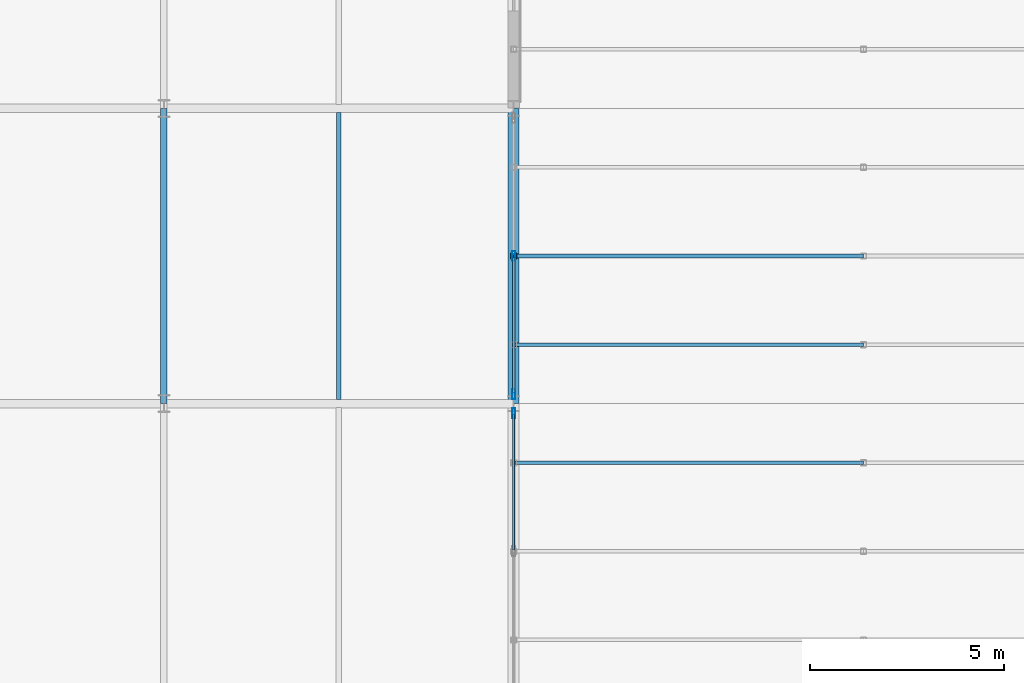
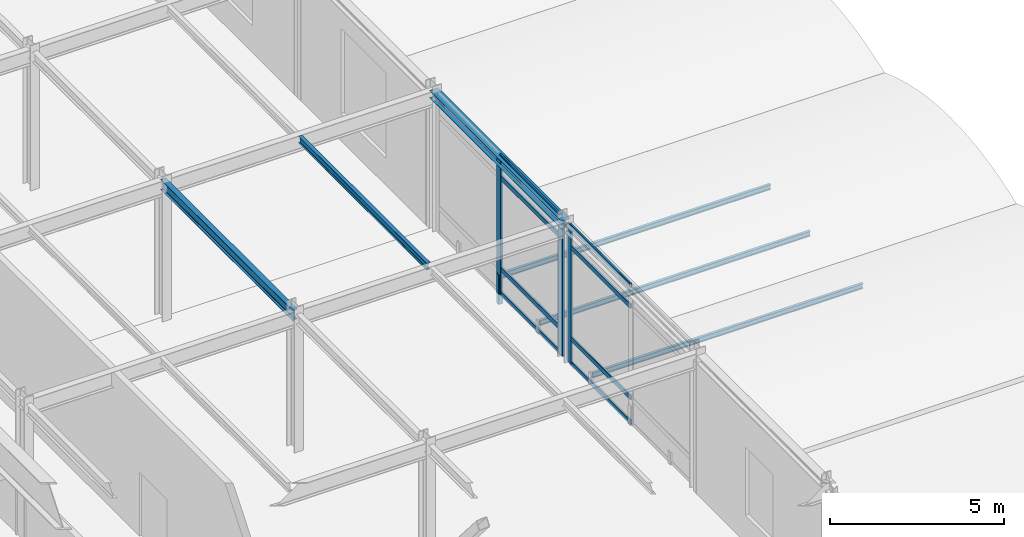
# One storey, part 62 of 113: 15 members, 3 beams, 2 elements without a shape of their own.
"""IFC4 building model written with IfcOpenShell, lengths in metres."""

from ifc_helpers import new_model, si_unit, direction, frame, origin, origin_2d, place, context, subcontext, project, spatial, hollow_rectangle, i_section, extrude, material, layer, layer_set, material_profile, profile_set, type_object, element, aggregate, save


model = new_model("IFC4")

# Units and contexts
model_context = context("Model", 3, precision=1e-05, world=origin(), true_north=direction((0.0, 1.0)))
body_context = subcontext(model_context, "Body", "Model", "MODEL_VIEW")
ifc_project = project(units=[si_unit("LENGTHUNIT", "METRE"), si_unit("AREAUNIT", "SQUARE_METRE"), si_unit("VOLUMEUNIT", "CUBIC_METRE"), si_unit("PLANEANGLEUNIT", "RADIAN"), si_unit("MASSUNIT", "GRAM", prefix="KILO")], contexts=[model_context])

# Site, building, storey
site_placement = place(None, origin())
site = spatial("IfcSite", under=ifc_project, at=site_placement, CompositionType="ELEMENT")
building_placement = place(site_placement, origin())
building = spatial("IfcBuilding", under=site, at=building_placement, Name="Shalkamar Park Central Library", CompositionType="ELEMENT")
storey_placement = place(building_placement, frame((0.0, 0.0, 5.39990234375)))
storey = spatial("IfcBuildingStorey", under=building, at=storey_placement, Name="L02", CompositionType="ELEMENT", Elevation=5.39990234375)

# Beam
ifc_material_1 = material(Name="Steel S355", Category="steel")
ifc_material_profile_1 = material_profile(ifc_material_1, i_section(OverallWidth=0.1201171875, OverallDepth=0.239990234375, WebThickness=0.006103515625, FlangeThickness=0.009765625, FilletRadius=0.014892578125, at=origin_2d()), Name="IPE 240")
ifc_profile_set_1 = profile_set([ifc_material_profile_1], Name="Steel S355")
beam_type_1 = type_object("IfcBeamType", Name="Composite Floor Joist IPE240", PredefinedType="JOIST", material=ifc_profile_set_1)
beam_1_placement = place(storey_placement, frame((268.5, 285.702880859375, 4.739990234375), z_axis=(0.0, 1.0, 0.0), x_axis=(-1.0, 0.0, 0.0)))
element("IfcBeam", 1, at=beam_1_placement, inside=storey, type_object=beam_type_1, Name="Composite Joist 19/G-1 (L02)", PredefinedType="JOIST", context=body_context, shape_type="SweptSolid", body=[
    extrude(i_section(OverallWidth=0.1201171875, OverallDepth=0.239990234375, WebThickness=0.006103515625, FlangeThickness=0.009765625, FilletRadius=0.014892578125, at=origin_2d()), origin(), (0.0, 0.0, 1.0), 7.39404296875),
])

# Curtain wall, member
ifc_material_2 = material(Name="Thermally broken aluminium and triple low-e curtain wall", Category="aluminium")
ifc_layer_1 = layer(ifc_material_2, 0.260009765625)
ifc_layer_set_1 = layer_set([ifc_layer_1], Name="UnitisedCurtainWall_37")
curtain_wall_type_1 = type_object("IfcCurtainWallType", Name="Unitised Curtain Wall 37", PredefinedType="USERDEFINED", material=ifc_layer_set_1)
curtain_wall_1_placement = place(storey_placement, origin())
curtain_wall_1 = element("IfcCurtainWall", 2, at=curtain_wall_1_placement, inside=storey, type_object=curtain_wall_type_1, Name="Unitised Curtain Wall CW-L02-043", ObjectType="UNITISED CURTAIN WALL", PredefinedType="USERDEFINED")
ifc_material_3 = material(Name="Aluminium 6060-T66", Category="aluminium")
ifc_material_profile_2 = material_profile(ifc_material_3, hollow_rectangle(XDim=0.074951171875, YDim=0.260009765625, WallThickness=0.00439453125, InnerFilletRadius=0.00439453125, OuterFilletRadius=0.0068359375, at=origin_2d()), Name="ALU 75x260x4.5")
ifc_profile_set_2 = profile_set([ifc_material_profile_2], Name="Aluminium 6060-T66")
member_type_1 = type_object("IfcMemberType", Name="Curtain Wall Mullion ALU75x260", PredefinedType="MULLION", material=ifc_profile_set_2)
member_1_placement = place(storey_placement, frame((273.0, 285.3583984375, 0.0), z_axis=(0.0, 0.0, 1.0), x_axis=(-1.0, 0.0, 0.0)))
member_1 = element("IfcMember", 3, at=member_1_placement, type_object=member_type_1, Name="CW-37 mullion 3", PredefinedType="MULLION", context=body_context, shape_type="SweptSolid", body=[
    extrude(hollow_rectangle(XDim=0.074951171875, YDim=0.260009765625, WallThickness=0.00439453125, InnerFilletRadius=0.00439453125, OuterFilletRadius=0.0068359375, at=origin_2d()), origin(), (0.0, 0.0, 1.0), 4.860107421875),
])

# Curtain wall, members
ifc_layer_2 = layer(ifc_material_2, 0.2548828125)
ifc_layer_set_2 = layer_set([ifc_layer_2], Name="UnitisedCurtainWall_38")
curtain_wall_type_2 = type_object("IfcCurtainWallType", Name="Unitised Curtain Wall 38", PredefinedType="USERDEFINED", material=ifc_layer_set_2)
curtain_wall_2_placement = place(storey_placement, origin())
curtain_wall_2 = element("IfcCurtainWall", 4, at=curtain_wall_2_placement, inside=storey, type_object=curtain_wall_type_2, Name="Unitised Curtain Wall CW-L02-044", ObjectType="UNITISED CURTAIN WALL", PredefinedType="USERDEFINED")
ifc_material_profile_3 = material_profile(ifc_material_3, hollow_rectangle(XDim=0.080078125, YDim=0.2548828125, WallThickness=0.00439453125, InnerFilletRadius=0.00439453125, OuterFilletRadius=0.0068359375, at=origin_2d()), Name="ALU 80x255x4.5")
ifc_profile_set_3 = profile_set([ifc_material_profile_3], Name="Aluminium 6060-T66")
member_type_2 = type_object("IfcMemberType", Name="Curtain Wall Mullion ALU80x255", PredefinedType="MULLION", material=ifc_profile_set_3)
member_2_placement = place(storey_placement, frame((273.0, 285.843994140625, 0.0), z_axis=(0.0, 0.0, 1.0), x_axis=(-1.0, 0.0, 0.0)))
member_2 = element("IfcMember", 5, at=member_2_placement, type_object=member_type_2, Name="CW-38 mullion 1", PredefinedType="MULLION", context=body_context, shape_type="SweptSolid", body=[
    extrude(hollow_rectangle(XDim=0.080078125, YDim=0.2548828125, WallThickness=0.00439453125, InnerFilletRadius=0.00439453125, OuterFilletRadius=0.0068359375, at=origin_2d()), origin(), (0.0, 0.0, 1.0), 4.860107421875),
])
member_3_placement = place(storey_placement, frame((273.0, 289.39990234375, 0.0), z_axis=(0.0, 0.0, 1.0), x_axis=(-1.0, 0.0, 0.0)))
member_3 = element("IfcMember", 6, at=member_3_placement, type_object=member_type_2, Name="CW-38 mullion 2", PredefinedType="MULLION", context=body_context, shape_type="SweptSolid", body=[
    extrude(hollow_rectangle(XDim=0.080078125, YDim=0.2548828125, WallThickness=0.00439453125, InnerFilletRadius=0.00439453125, OuterFilletRadius=0.0068359375, at=origin_2d()), origin(), (0.0, 0.0, 1.0), 4.860107421875),
])

# Member
ifc_material_profile_4 = material_profile(ifc_material_3, hollow_rectangle(XDim=0.06005859375, YDim=0.1650390625, WallThickness=0.00390625, InnerFilletRadius=0.00390625, OuterFilletRadius=0.006103515625, at=origin_2d()), Name="ALU 60x165x4")
ifc_profile_set_4 = profile_set([ifc_material_profile_4], Name="Aluminium 6060-T66")
member_type_3 = type_object("IfcMemberType", Name="Curtain Wall Transom ALU60x165", PredefinedType="USERDEFINED", material=ifc_profile_set_4)
member_4_placement = place(storey_placement, frame((273.0, 281.83740234375, 0.030029296875), z_axis=(0.0, 1.0, 0.0), x_axis=(-1.0, 0.0, 0.0)))
member_4 = element("IfcMember", 7, at=member_4_placement, type_object=member_type_3, Name="CW-37 transom 2.1", ObjectType="TRANSOM", PredefinedType="USERDEFINED", context=body_context, shape_type="SweptSolid", body=[
    extrude(hollow_rectangle(XDim=0.06005859375, YDim=0.1650390625, WallThickness=0.00390625, InnerFilletRadius=0.00390625, OuterFilletRadius=0.006103515625, at=origin_2d()), origin(), (0.0, 0.0, 1.0), 3.483642578125),
])

member_5_placement = place(storey_placement, frame((273.0, 281.83740234375, 0.900146484375), z_axis=(0.0, 1.0, 0.0), x_axis=(-1.0, 0.0, 0.0)))
member_5 = element("IfcMember", 8, at=member_5_placement, type_object=member_type_3, Name="CW-37 transom 2.2", ObjectType="TRANSOM", PredefinedType="USERDEFINED", context=body_context, shape_type="SweptSolid", body=[
    extrude(hollow_rectangle(XDim=0.06005859375, YDim=0.1650390625, WallThickness=0.00390625, InnerFilletRadius=0.00390625, OuterFilletRadius=0.006103515625, at=origin_2d()), origin(), (0.0, 0.0, 1.0), 3.483642578125),
])

member_6_placement = place(storey_placement, frame((273.0, 281.83740234375, 4.110107421875), z_axis=(0.0, 1.0, 0.0), x_axis=(-1.0, 0.0, 0.0)))
member_6 = element("IfcMember", 9, at=member_6_placement, type_object=member_type_3, Name="CW-37 transom 2.3", ObjectType="TRANSOM", PredefinedType="USERDEFINED", context=body_context, shape_type="SweptSolid", body=[
    extrude(hollow_rectangle(XDim=0.06005859375, YDim=0.1650390625, WallThickness=0.00390625, InnerFilletRadius=0.00390625, OuterFilletRadius=0.006103515625, at=origin_2d()), origin(), (0.0, 0.0, 1.0), 3.483642578125),
])

member_7_placement = place(storey_placement, frame((273.0, 281.83740234375, 4.830078125), z_axis=(0.0, 1.0, 0.0), x_axis=(-1.0, 0.0, 0.0)))
member_7 = element("IfcMember", 10, at=member_7_placement, type_object=member_type_3, Name="CW-37 transom 2.4", ObjectType="TRANSOM", PredefinedType="USERDEFINED", context=body_context, shape_type="SweptSolid", body=[
    extrude(hollow_rectangle(XDim=0.06005859375, YDim=0.1650390625, WallThickness=0.00390625, InnerFilletRadius=0.00390625, OuterFilletRadius=0.006103515625, at=origin_2d()), origin(), (0.0, 0.0, 1.0), 3.483642578125),
])

aggregate(curtain_wall_1, [member_1, member_4, member_5, member_6, member_7])

ifc_material_profile_5 = material_profile(ifc_material_3, hollow_rectangle(XDim=0.06494140625, YDim=0.169921875, WallThickness=0.00390625, InnerFilletRadius=0.00390625, OuterFilletRadius=0.006103515625, at=origin_2d()), Name="ALU 65x170x4")
ifc_profile_set_5 = profile_set([ifc_material_profile_5], Name="Aluminium 6060-T66")
member_type_4 = type_object("IfcMemberType", Name="Curtain Wall Transom ALU65x170", PredefinedType="USERDEFINED", material=ifc_profile_set_5)
member_8_placement = place(storey_placement, frame((273.0, 285.884033203125, 0.03271484375), z_axis=(0.0, 1.0, 0.0), x_axis=(-1.0, 0.0, 0.0)))
member_8 = element("IfcMember", 11, at=member_8_placement, type_object=member_type_4, Name="CW-38 transom 1.1", ObjectType="TRANSOM", PredefinedType="USERDEFINED", context=body_context, shape_type="SweptSolid", body=[
    extrude(hollow_rectangle(XDim=0.06494140625, YDim=0.169921875, WallThickness=0.00390625, InnerFilletRadius=0.00390625, OuterFilletRadius=0.006103515625, at=origin_2d()), origin(), (0.0, 0.0, 1.0), 3.47607421875),
])

member_9_placement = place(storey_placement, frame((273.0, 285.884033203125, 0.900146484375), z_axis=(0.0, 1.0, 0.0), x_axis=(-1.0, 0.0, 0.0)))
member_9 = element("IfcMember", 12, at=member_9_placement, type_object=member_type_4, Name="CW-38 transom 1.2", ObjectType="TRANSOM", PredefinedType="USERDEFINED", context=body_context, shape_type="SweptSolid", body=[
    extrude(hollow_rectangle(XDim=0.06494140625, YDim=0.169921875, WallThickness=0.00390625, InnerFilletRadius=0.00390625, OuterFilletRadius=0.006103515625, at=origin_2d()), origin(), (0.0, 0.0, 1.0), 3.47607421875),
])

member_10_placement = place(storey_placement, frame((273.0, 285.884033203125, 4.110107421875), z_axis=(0.0, 1.0, 0.0), x_axis=(-1.0, 0.0, 0.0)))
member_10 = element("IfcMember", 13, at=member_10_placement, type_object=member_type_4, Name="CW-38 transom 1.3", ObjectType="TRANSOM", PredefinedType="USERDEFINED", context=body_context, shape_type="SweptSolid", body=[
    extrude(hollow_rectangle(XDim=0.06494140625, YDim=0.169921875, WallThickness=0.00390625, InnerFilletRadius=0.00390625, OuterFilletRadius=0.006103515625, at=origin_2d()), origin(), (0.0, 0.0, 1.0), 3.47607421875),
])

member_11_placement = place(storey_placement, frame((273.0, 285.884033203125, 4.82763671875), z_axis=(0.0, 1.0, 0.0), x_axis=(-1.0, 0.0, 0.0)))
member_11 = element("IfcMember", 14, at=member_11_placement, type_object=member_type_4, Name="CW-38 transom 1.4", ObjectType="TRANSOM", PredefinedType="USERDEFINED", context=body_context, shape_type="SweptSolid", body=[
    extrude(hollow_rectangle(XDim=0.06494140625, YDim=0.169921875, WallThickness=0.00390625, InnerFilletRadius=0.00390625, OuterFilletRadius=0.006103515625, at=origin_2d()), origin(), (0.0, 0.0, 1.0), 3.47607421875),
])

aggregate(curtain_wall_2, [member_2, member_3, member_8, member_9, member_10, member_11])

ifc_material_profile_6 = material_profile(ifc_material_1, hollow_rectangle(XDim=0.14990234375, YDim=0.14990234375, WallThickness=0.008056640625, InnerFilletRadius=0.008056640625, OuterFilletRadius=0.011962890625, at=origin_2d()), Name="SHS 150x150x8")
ifc_profile_set_6 = profile_set([ifc_material_profile_6], Name="Steel S355")
member_type_5 = type_object("IfcMemberType", Name="Diagonal Brace SHS150", PredefinedType="BRACE", material=ifc_profile_set_6)
member_12_placement = place(storey_placement, frame((273.0, 289.39990234375, -0.35986328125), z_axis=(0.0, 0.0, 1.0), x_axis=(1.0, 0.0, 0.0)))
element("IfcMember", 15, at=member_12_placement, inside=storey, type_object=member_type_5, Name="Vault Arch Post BV-L01-E5-20.2", PredefinedType="BRACE", context=body_context, shape_type="SweptSolid", body=[
    extrude(hollow_rectangle(XDim=0.14990234375, YDim=0.14990234375, WallThickness=0.008056640625, InnerFilletRadius=0.008056640625, OuterFilletRadius=0.011962890625, at=origin_2d()), origin(), (0.0, 0.0, 1.0), 1.0400390625),
])

# Beams
ifc_material_profile_7 = material_profile(ifc_material_1, i_section(OverallWidth=0.280029296875, OverallDepth=0.27001953125, WebThickness=0.008056640625, FlangeThickness=0.012939453125, FilletRadius=0.02392578125, at=origin_2d()), Name="HEA 280")
ifc_profile_set_7 = profile_set([ifc_material_profile_7], Name="Steel S355")
beam_type_2 = type_object("IfcBeamType", Name="Perimeter Spandrel Beam HEA280", PredefinedType="SPANDREL", material=ifc_profile_set_7)
beam_2_placement = place(storey_placement, frame((273.0, 285.60009765625, 4.72509765625), z_axis=(0.0, 1.0, 0.0), x_axis=(-1.0, 0.0, 0.0)))
element("IfcBeam", 16, at=beam_2_placement, inside=storey, type_object=beam_type_2, Name="Beam 20:G-H (L02)", PredefinedType="SPANDREL", context=body_context, shape_type="SweptSolid", body=[
    extrude(i_section(OverallWidth=0.280029296875, OverallDepth=0.27001953125, WebThickness=0.008056640625, FlangeThickness=0.012939453125, FilletRadius=0.02392578125, at=origin_2d()), origin(), (0.0, 0.0, 1.0), 7.599853515625),
])
ifc_material_profile_8 = material_profile(ifc_material_1, i_section(OverallWidth=0.169921875, OverallDepth=0.360107421875, WebThickness=0.008056640625, FlangeThickness=0.0126953125, FilletRadius=0.01806640625, at=origin_2d()), Name="IPE 360")
ifc_profile_set_8 = profile_set([ifc_material_profile_8], Name="Steel S355")
beam_type_3 = type_object("IfcBeamType", Name="Primary Girder IPE360", PredefinedType="BEAM", material=ifc_profile_set_8)
beam_3_placement = place(storey_placement, frame((264.0, 285.60009765625, 4.68017578125), z_axis=(0.0, 1.0, 0.0), x_axis=(-1.0, 0.0, 0.0)))
element("IfcBeam", 17, at=beam_3_placement, inside=storey, type_object=beam_type_3, Name="Beam 19:G-H (L02)", PredefinedType="BEAM", context=body_context, shape_type="SweptSolid", body=[
    extrude(i_section(OverallWidth=0.169921875, OverallDepth=0.360107421875, WebThickness=0.008056640625, FlangeThickness=0.0126953125, FilletRadius=0.01806640625, at=origin_2d()), origin(), (0.0, 0.0, 1.0), 7.599853515625),
])

# Members
ifc_material_profile_9 = material_profile(ifc_material_1, i_section(OverallWidth=0.091064453125, OverallDepth=0.179931640625, WebThickness=0.00537109375, FlangeThickness=0.008056640625, FilletRadius=0.009033203125, at=origin_2d()), Name="IPE 180")
ifc_profile_set_9 = profile_set([ifc_material_profile_9], Name="Steel S355")
member_type_6 = type_object("IfcMemberType", Name="Roof Purlin IPE180", PredefinedType="PURLIN", material=ifc_profile_set_9)
for number, where, z_axis, x_axis, name in (
    (18, (273.0, 284.080078125, 0.330810546875), (1.0, 0.0, 0.0), (0.0, 1.0, 0.0), "Barrel Roof Purlin BV-L01-E4-3.20"),
    (19, (273.0, 287.1201171875, 0.330810546875), (1.0, 0.0, 0.0), (0.0, 1.0, 0.0), "Barrel Roof Purlin BV-L01-E5-1.20"),
    (20, (273.0, 289.39990234375, 0.590087890625), (1.0, 0.0, 0.0), (0.0, 1.0, 0.0), "Barrel Roof Purlin BV-L01-E5-2.20"),
):
    element("IfcMember", number, at=place(storey_placement, frame(where, z_axis=z_axis, x_axis=x_axis)), inside=storey, type_object=member_type_6, Name=name, PredefinedType="PURLIN", context=body_context, shape_type="SweptSolid", body=[
        extrude(i_section(OverallWidth=0.091064453125, OverallDepth=0.179931640625, WebThickness=0.00537109375, FlangeThickness=0.008056640625, FilletRadius=0.009033203125, at=origin_2d()), origin(), (0.0, 0.0, 1.0), 9.0),
    ])

save(model, "model.ifc")
